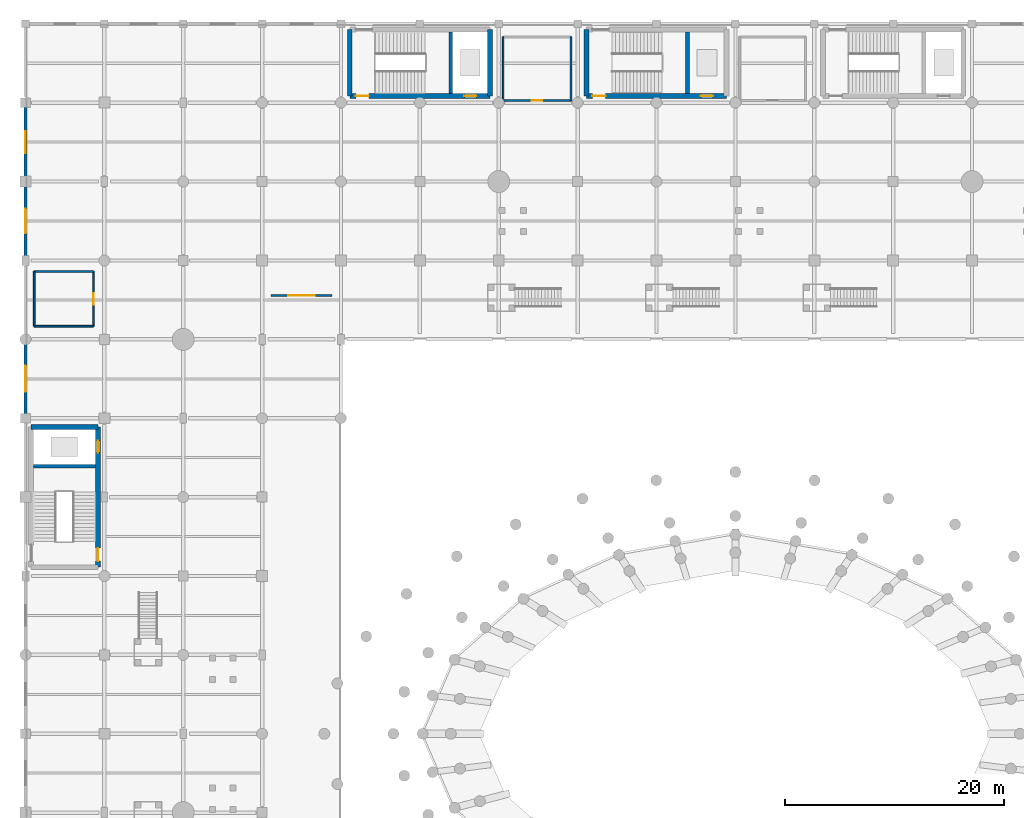
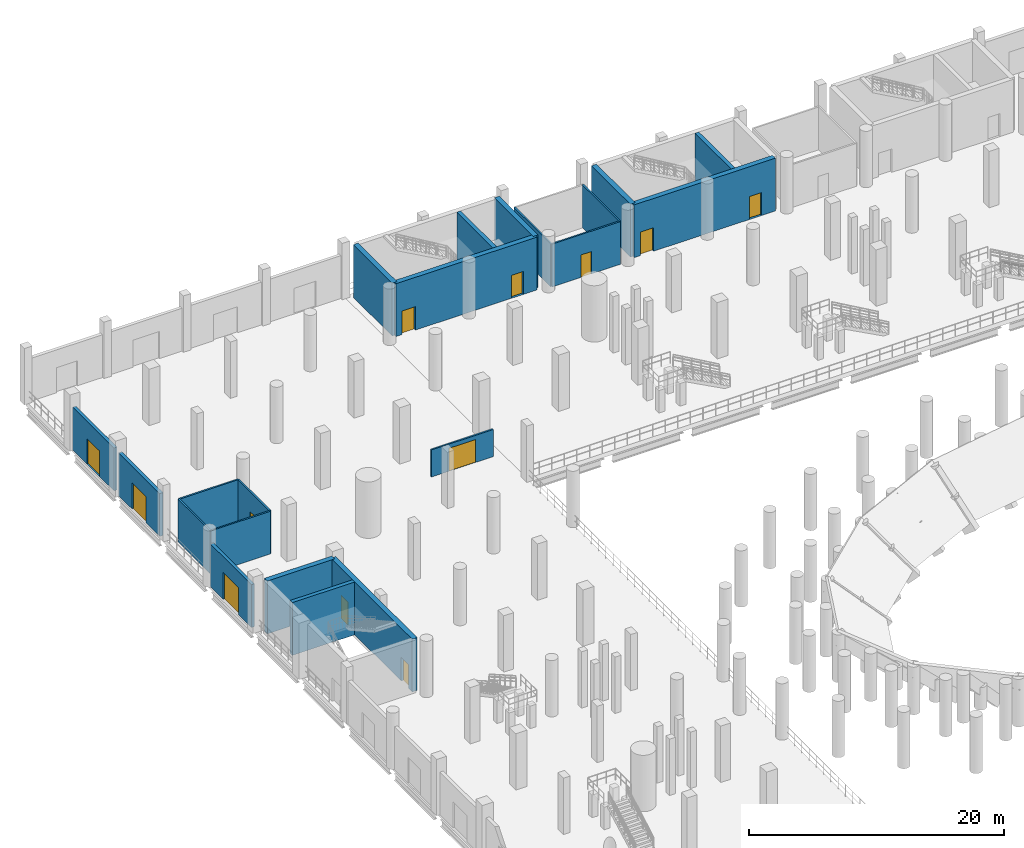
# One storey, part 36 of 58: 21 walls, 12 doors, 12 openings.
"""IFC4 building model written with IfcOpenShell, lengths in metres."""

from ifc_helpers import new_model, si_unit, direction, frame, frame_2d, origin, place, context, subcontext, project, spatial, rectangle, extrude, material, layer, layer_set, type_object, element, fill, save


model = new_model("IFC4")

# Units and contexts
model_context = context("Model", 3, precision=1e-05, world=origin(), true_north=direction((0.0, 1.0)))
body_context = subcontext(model_context, "Body", "Model", "MODEL_VIEW")
ifc_project = project(units=[si_unit("LENGTHUNIT", "METRE"), si_unit("AREAUNIT", "SQUARE_METRE"), si_unit("VOLUMEUNIT", "CUBIC_METRE"), si_unit("PLANEANGLEUNIT", "RADIAN"), si_unit("MASSUNIT", "GRAM", prefix="KILO")], contexts=[model_context])

# Site, building, storey
site_placement = place(None, origin())
site = spatial("IfcSite", under=ifc_project, at=site_placement, CompositionType="ELEMENT")
building_placement = place(site_placement, origin())
building = spatial("IfcBuilding", under=site, at=building_placement, Name="Qandorah Velis Arena", CompositionType="ELEMENT")
storey_placement = place(building_placement, origin())
storey = spatial("IfcBuildingStorey", under=building, at=storey_placement, Name="L00", CompositionType="ELEMENT", Elevation=0.0)

# Wall, opening, door
ifc_material_1 = material(Name="Precast concrete C40/50", Category="concrete")
ifc_layer_1 = layer(ifc_material_1, 0.2900390625)
ifc_layer_set_1 = layer_set([ifc_layer_1], Name="Precast concrete C40/50")
wall_type_1 = type_object("IfcWallType", Name="ARC-WAL-EXT290", PredefinedType="SOLIDWALL", material=ifc_layer_set_1)
wall_1_placement = place(storey_placement, frame((0.0, 93.949951171875, 0.0), z_axis=(0.0, 0.0, 1.0), x_axis=(0.0, 1.0, 0.0)))
wall_1 = element("IfcWall", 1, at=wall_1_placement, inside=storey, type_object=wall_type_1, Name="Perimeter concourse exit wall G09", PredefinedType="SOLIDWALL", context=body_context, shape_type="SweptSolid", body=[
    extrude(rectangle(XDim=6.5, YDim=0.2900390625, at=frame_2d((3.25, 0.0))), origin(), (0.0, 0.0, 1.0), 4.10009765625),
])
opening_1_placement = place(wall_1_placement, frame((2.050048828125, 0.0, 0.0)))
opening_1 = element("IfcOpeningElement", 2, at=opening_1_placement, cuts=wall_1, Name="Opening G9", PredefinedType="OPENING", context=body_context, shape_type="SweptSolid", body=[
    extrude(rectangle(XDim=2.39990234375, YDim=2.60009765625, at=frame_2d((1.199951171875, 1.300048828125))), frame((0.0, 0.155029296875, 0.0), z_axis=(0.0, -1.0, 0.0), x_axis=(1.0, 0.0, 0.0)), (0.0, 0.0, 1.0), 0.31005859375),
])
ifc_material_2 = material(Name="Insulated galvanized steel exit door", Category="steel")
door_type_1 = type_object("IfcDoorType", Name="ARC-DR-EXT2400", OperationType="NOTDEFINED", PredefinedType="DOOR", material=ifc_material_2)
door_1_placement = place(opening_1_placement, origin())
door_1 = element("IfcDoor", 3, at=door_1_placement, inside=storey, type_object=door_type_1, Name="Pedestrian exit door G9", OperationType="SINGLE_SWING_RIGHT", OverallHeight=2.60009765625, OverallWidth=2.39990234375, PredefinedType="DOOR", context=body_context, shape_type="SweptSolid", body=[
    extrude(rectangle(XDim=2.39990234375, YDim=2.60009765625, at=frame_2d((1.199951171875, 1.300048828125))), frame((0.0, 0.02490234375, 0.0), z_axis=(0.0, -1.0, 0.0), x_axis=(1.0, 0.0, 0.0)), (0.0, 0.0, 1.0), 0.050048828125),
])
fill(opening_1, door_1)

wall_2_placement = place(storey_placement, frame((0.0, 115.550048828125, 0.0), z_axis=(0.0, 0.0, 1.0), x_axis=(0.0, 1.0, 0.0)))
wall_2 = element("IfcWall", 4, at=wall_2_placement, inside=storey, type_object=wall_type_1, Name="Perimeter concourse exit wall G11", PredefinedType="SOLIDWALL", context=body_context, shape_type="SweptSolid", body=[
    extrude(rectangle(XDim=6.5, YDim=0.2900390625, at=frame_2d((3.25, 0.0))), origin(), (0.0, 0.0, 1.0), 4.10009765625),
])
opening_2_placement = place(wall_2_placement, frame((2.25, 0.0, 0.0)))
opening_2 = element("IfcOpeningElement", 5, at=opening_2_placement, cuts=wall_2, Name="Opening G11", PredefinedType="OPENING", context=body_context, shape_type="SweptSolid", body=[
    extrude(rectangle(XDim=2.0, YDim=2.449951171875, at=frame_2d((1.0, 1.22509765625))), frame((0.0, 0.155029296875, 0.0), z_axis=(0.0, -1.0, 0.0), x_axis=(1.0, 0.0, 0.0)), (0.0, 0.0, 1.0), 0.31005859375),
])
door_type_2 = type_object("IfcDoorType", Name="ARC-DR-EXT2000", OperationType="NOTDEFINED", PredefinedType="DOOR", material=ifc_material_2)
door_2_placement = place(opening_2_placement, origin())
door_2 = element("IfcDoor", 6, at=door_2_placement, inside=storey, type_object=door_type_2, Name="Pedestrian exit door G11", OperationType="SINGLE_SWING_RIGHT", OverallHeight=2.449951171875, OverallWidth=2.0, PredefinedType="DOOR", context=body_context, shape_type="SweptSolid", body=[
    extrude(rectangle(XDim=2.0, YDim=2.449951171875, at=frame_2d((1.0, 1.22509765625))), frame((0.0, 0.02490234375, 0.0), z_axis=(0.0, -1.0, 0.0), x_axis=(1.0, 0.0, 0.0)), (0.0, 0.0, 1.0), 0.050048828125),
])
fill(opening_2, door_2)

ifc_layer_2 = layer(ifc_material_1, 0.31005859375)
ifc_layer_set_2 = layer_set([ifc_layer_2], Name="Precast concrete C40/50")
wall_type_2 = type_object("IfcWallType", Name="ARC-WAL-EXT310", PredefinedType="SOLIDWALL", material=ifc_layer_set_2)
wall_3_placement = place(storey_placement, frame((0.0, 108.35009765625, 0.0), z_axis=(0.0, 0.0, 1.0), x_axis=(0.0, 1.0, 0.0)))
wall_3 = element("IfcWall", 7, at=wall_3_placement, inside=storey, type_object=wall_type_2, Name="Perimeter concourse exit wall G10", PredefinedType="SOLIDWALL", context=body_context, shape_type="SweptSolid", body=[
    extrude(rectangle(XDim=6.5, YDim=0.31005859375, at=frame_2d((3.25, 0.0))), origin(), (0.0, 0.0, 1.0), 4.10009765625),
])
opening_3_placement = place(wall_3_placement, frame((2.14990234375, 0.0, 0.0)))
opening_3 = element("IfcOpeningElement", 8, at=opening_3_placement, cuts=wall_3, Name="Opening G10", PredefinedType="OPENING", context=body_context, shape_type="SweptSolid", body=[
    extrude(rectangle(XDim=2.199951171875, YDim=2.5, at=frame_2d((1.10009765625, 1.25))), frame((0.0, 0.1650390625, 0.0), z_axis=(0.0, -1.0, 0.0), x_axis=(1.0, 0.0, 0.0)), (0.0, 0.0, 1.0), 0.330078125),
])
door_type_3 = type_object("IfcDoorType", Name="ARC-DR-EXT2200", OperationType="NOTDEFINED", PredefinedType="DOOR", material=ifc_material_2)
door_3_placement = place(opening_3_placement, origin())
door_3 = element("IfcDoor", 9, at=door_3_placement, inside=storey, type_object=door_type_3, Name="Pedestrian exit door G10", OperationType="SINGLE_SWING_LEFT", OverallHeight=2.5, OverallWidth=2.199951171875, PredefinedType="DOOR", context=body_context, shape_type="SweptSolid", body=[
    extrude(rectangle(XDim=2.199951171875, YDim=2.5, at=frame_2d((1.10009765625, 1.25))), frame((0.0, 0.02490234375, 0.0), z_axis=(0.0, -1.0, 0.0), x_axis=(1.0, 0.0, 0.0)), (0.0, 0.0, 1.0), 0.050048828125),
])
fill(opening_3, door_3)

ifc_material_3 = material(Name="Concrete C35/45", Category="concrete")
ifc_layer_3 = layer(ifc_material_3, 0.14990234375)
ifc_layer_set_3 = layer_set([ifc_layer_3], Name="Concrete C35/45")
wall_type_3 = type_object("IfcWallType", Name="ARC-WAL-PART150", PredefinedType="PARTITIONING", material=ifc_layer_set_3)
wall_4_placement = place(storey_placement, frame((43.60009765625, 122.60009765625, 0.0), z_axis=(0.0, 0.0, 1.0), x_axis=(1.0, 0.0, 0.0)))
wall_4 = element("IfcWall", 10, at=wall_4_placement, inside=storey, type_object=wall_type_3, Name="Interior partition L00-L00-MWC2 (S)", PredefinedType="PARTITIONING", context=body_context, shape_type="SweptSolid", body=[
    extrude(rectangle(XDim=6.199951171875, YDim=0.14990234375, at=frame_2d((3.10009765625, 0.0))), origin(), (0.0, 0.0, 1.0), 4.10009765625),
])
opening_4_placement = place(wall_4_placement, frame((2.625, 0.0, 0.0)))
opening_4 = element("IfcOpeningElement", 11, at=opening_4_placement, cuts=wall_4, Name="Opening D4", PredefinedType="OPENING", context=body_context, shape_type="SweptSolid", body=[
    extrude(rectangle(XDim=0.949951171875, YDim=2.14990234375, at=frame_2d((0.47509765625, 1.074951171875))), frame((0.0, 0.0849609375, 0.0), z_axis=(0.0, -1.0, 0.0), x_axis=(1.0, 0.0, 0.0)), (0.0, 0.0, 1.0), 0.169921875),
])
ifc_material_4 = material(Name="Moisture-resistant laminate door")
door_type_4 = type_object("IfcDoorType", Name="ARC-DR-WC950", OperationType="NOTDEFINED", PredefinedType="DOOR", material=ifc_material_4)
door_4_placement = place(opening_4_placement, origin())
door_4 = element("IfcDoor", 12, at=door_4_placement, inside=storey, type_object=door_type_4, Name="Door L00-L00-MWC2", OperationType="SINGLE_SWING_LEFT", OverallHeight=2.14990234375, OverallWidth=0.949951171875, PredefinedType="DOOR", context=body_context, shape_type="SweptSolid", body=[
    extrude(rectangle(XDim=0.949951171875, YDim=2.14990234375, at=frame_2d((0.47509765625, 1.074951171875))), frame((0.0, 0.02490234375, 0.0), z_axis=(0.0, -1.0, 0.0), x_axis=(1.0, 0.0, 0.0)), (0.0, 0.0, 1.0), 0.050048828125),
])
fill(opening_4, door_4)

# Walls
for number, where, z_axis, x_axis, name in (
    (13, (49.800048828125, 122.60009765625, 0.0), (0.0, 0.0, 1.0), (0.0, 1.0, 0.0), "Interior partition L00-L00-MWC2 (E)"),
    (14, (43.60009765625, 128.39990234375, 0.0), (0.0, 0.0, 1.0), (0.0, -1.0, 0.0), "Interior partition L00-L00-MWC2 (W)"),
):
    element("IfcWall", number, at=place(storey_placement, frame(where, z_axis=z_axis, x_axis=x_axis)), inside=storey, type_object=wall_type_3, Name=name, PredefinedType="PARTITIONING", context=body_context, shape_type="SweptSolid", body=[
        extrude(rectangle(XDim=5.7998046875, YDim=0.14990234375, at=frame_2d((2.89990234375, 0.0))), origin(), (0.0, 0.0, 1.0), 4.10009765625),
    ])
wall_5_placement = place(storey_placement, frame((0.800048828125, 102.0, 0.0), z_axis=(0.0, 0.0, 1.0), x_axis=(1.0, 0.0, 0.0)))
element("IfcWall", 15, at=wall_5_placement, inside=storey, type_object=wall_type_3, Name="Interior partition L00-L00-AWC2 (S)", PredefinedType="PARTITIONING", context=body_context, shape_type="SweptSolid", body=[
    extrude(rectangle(XDim=5.39990234375, YDim=0.14990234375, at=frame_2d((2.699951171875, 0.0))), origin(), (0.0, 0.0, 1.0), 4.10009765625),
])

# Wall, opening, door
wall_6_placement = place(storey_placement, frame((6.199951171875, 102.0, 0.0), z_axis=(0.0, 0.0, 1.0), x_axis=(0.0, 1.0, 0.0)))
wall_6 = element("IfcWall", 16, at=wall_6_placement, inside=storey, type_object=wall_type_3, Name="Interior partition L00-L00-AWC2 (E)", PredefinedType="PARTITIONING", context=body_context, shape_type="SweptSolid", body=[
    extrude(rectangle(XDim=5.0, YDim=0.14990234375, at=frame_2d((2.5, 0.0))), origin(), (0.0, 0.0, 1.0), 4.10009765625),
])
opening_5_placement = place(wall_6_placement, frame((1.97509765625, 0.0, 0.0)))
opening_5 = element("IfcOpeningElement", 17, at=opening_5_placement, cuts=wall_6, Name="Opening D6", PredefinedType="OPENING", context=body_context, shape_type="SweptSolid", body=[
    extrude(rectangle(XDim=1.050048828125, YDim=2.199951171875, at=frame_2d((0.52490234375, 1.10009765625))), frame((0.0, 0.0849609375, 0.0), z_axis=(0.0, -1.0, 0.0), x_axis=(1.0, 0.0, 0.0)), (0.0, 0.0, 1.0), 0.169921875),
])
ifc_material_5 = material(Name="Accessible wide-leaf lever-handle door")
door_type_5 = type_object("IfcDoorType", Name="ARC-DR-ACC1050", OperationType="NOTDEFINED", PredefinedType="DOOR", material=ifc_material_5)
door_5_placement = place(opening_5_placement, origin())
door_5 = element("IfcDoor", 18, at=door_5_placement, inside=storey, type_object=door_type_5, Name="Door L00-L00-AWC2", OperationType="SINGLE_SWING_LEFT", OverallHeight=2.199951171875, OverallWidth=1.050048828125, PredefinedType="DOOR", context=body_context, shape_type="SweptSolid", body=[
    extrude(rectangle(XDim=1.050048828125, YDim=2.199951171875, at=frame_2d((0.52490234375, 1.10009765625))), frame((0.0, 0.02490234375, 0.0), z_axis=(0.0, -1.0, 0.0), x_axis=(1.0, 0.0, 0.0)), (0.0, 0.0, 1.0), 0.050048828125),
])
fill(opening_5, door_5)

# Walls
wall_7_placement = place(storey_placement, frame((6.199951171875, 107.0, 0.0), z_axis=(0.0, 0.0, 1.0), x_axis=(-1.0, 0.0, 0.0)))
element("IfcWall", 19, at=wall_7_placement, inside=storey, type_object=wall_type_3, Name="Interior partition L00-L00-AWC2 (N)", PredefinedType="PARTITIONING", context=body_context, shape_type="SweptSolid", body=[
    extrude(rectangle(XDim=5.39990234375, YDim=0.14990234375, at=frame_2d((2.699951171875, 0.0))), origin(), (0.0, 0.0, 1.0), 4.10009765625),
])
wall_8_placement = place(storey_placement, frame((0.800048828125, 107.0, 0.0), z_axis=(0.0, 0.0, 1.0), x_axis=(0.0, -1.0, 0.0)))
element("IfcWall", 20, at=wall_8_placement, inside=storey, type_object=wall_type_3, Name="Interior partition L00-L00-AWC2 (W)", PredefinedType="PARTITIONING", context=body_context, shape_type="SweptSolid", body=[
    extrude(rectangle(XDim=5.0, YDim=0.14990234375, at=frame_2d((2.5, 0.0))), origin(), (0.0, 0.0, 1.0), 4.10009765625),
])

# Wall, opening, door
wall_9_placement = place(storey_placement, frame((22.39990234375, 104.800048828125, 0.0), z_axis=(0.0, 0.0, 1.0), x_axis=(1.0, 0.0, 0.0)))
wall_9 = element("IfcWall", 21, at=wall_9_placement, inside=storey, type_object=wall_type_3, Name="Concourse control screen wall 03", PredefinedType="PARTITIONING", context=body_context, shape_type="SweptSolid", body=[
    extrude(rectangle(XDim=5.60009765625, YDim=0.14990234375, at=frame_2d((2.800048828125, 0.0))), origin(), (0.0, 0.0, 1.0), 2.60009765625),
])
opening_6_placement = place(wall_9_placement, frame((1.60009765625, 0.0, 0.0)))
opening_6 = element("IfcOpeningElement", 22, at=opening_6_placement, cuts=wall_9, Name="Opening GT1", PredefinedType="OPENING", context=body_context, shape_type="SweptSolid", body=[
    extrude(rectangle(XDim=2.39990234375, YDim=2.199951171875, at=frame_2d((1.199951171875, 1.10009765625))), frame((0.0, 0.0849609375, 0.0), z_axis=(0.0, -1.0, 0.0), x_axis=(1.0, 0.0, 0.0)), (0.0, 0.0, 1.0), 0.169921875),
])
ifc_material_6 = material(Name="Galvanized steel concourse vomitory gate", Category="steel")
door_type_6 = type_object("IfcDoorType", Name="ARC-DR-GAT2400", OperationType="NOTDEFINED", PredefinedType="GATE", material=ifc_material_6)
door_6_placement = place(opening_6_placement, frame((2.39990234375, 0.0, 0.0), z_axis=(0.0, 0.0, 1.0), x_axis=(-1.0, 0.0, 0.0)))
door_6 = element("IfcDoor", 23, at=door_6_placement, inside=storey, type_object=door_type_6, Name="Concourse vomitory gate GT3", OperationType="DOUBLE_DOOR_SINGLE_SWING", OverallHeight=2.199951171875, OverallWidth=2.39990234375, PredefinedType="GATE", context=body_context, shape_type="SweptSolid", body=[
    extrude(rectangle(XDim=2.39990234375, YDim=2.199951171875, at=frame_2d((1.199951171875, 1.10009765625))), frame((0.0, 0.02490234375, 0.0), z_axis=(0.0, -1.0, 0.0), x_axis=(1.0, 0.0, 0.0)), (0.0, 0.0, 1.0), 0.050048828125),
])
fill(opening_6, door_6)

# Wall, openings, doors
ifc_material_7 = material(Name="Concrete C40/50", Category="concrete")
ifc_layer_4 = layer(ifc_material_7, 0.449951171875)
ifc_layer_set_4 = layer_set([ifc_layer_4], Name="Concrete C40/50")
wall_type_4 = type_object("IfcWallType", Name="STR-WAL-CORE450", PredefinedType="SHEAR", material=ifc_layer_set_4)
wall_10_placement = place(storey_placement, frame((29.60009765625, 123.0, 0.0), z_axis=(0.0, 0.0, 1.0), x_axis=(1.0, 0.0, 0.0)))
wall_10 = element("IfcWall", 24, at=wall_10_placement, inside=storey, type_object=wall_type_4, Name="Core CORE-03 shear wall S (L00)", PredefinedType="SHEAR", context=body_context, shape_type="SweptSolid", body=[
    extrude(rectangle(XDim=12.7998046875, YDim=0.449951171875, at=frame_2d((6.39990234375, 0.0))), origin(), (0.0, 0.0, 1.0), 5.06005859375),
])
opening_7_placement = place(wall_10_placement, frame((0.550048828125, 0.0, 0.0)))
opening_7 = element("IfcOpeningElement", 25, at=opening_7_placement, cuts=wall_10, Name="Opening SD1", PredefinedType="OPENING", context=body_context, shape_type="SweptSolid", body=[
    extrude(rectangle(XDim=1.199951171875, YDim=2.25, at=frame_2d((0.60009765625, 1.125))), frame((0.0, 0.23486328125, 0.0), z_axis=(0.0, -1.0, 0.0), x_axis=(1.0, 0.0, 0.0)), (0.0, 0.0, 1.0), 0.469970703125),
])
opening_8_placement = place(wall_10_placement, frame((10.4580078125, 0.0, 0.0)))
opening_8 = element("IfcOpeningElement", 26, at=opening_8_placement, cuts=wall_10, Name="Opening LD1", PredefinedType="OPENING", context=body_context, shape_type="SweptSolid", body=[
    extrude(rectangle(XDim=1.10009765625, YDim=2.199951171875, at=frame_2d((0.550048828125, 1.10009765625))), frame((0.0, 0.23486328125, 0.0), z_axis=(0.0, -1.0, 0.0), x_axis=(1.0, 0.0, 0.0)), (0.0, 0.0, 1.0), 0.469970703125),
])
ifc_material_8 = material(Name="Stainless steel sliding lift landing door", Category="steel")
door_type_7 = type_object("IfcDoorType", Name="ARC-DR-LD1100", OperationType="NOTDEFINED", PredefinedType="DOOR", material=ifc_material_8)
door_7_placement = place(opening_8_placement, origin())
door_7 = element("IfcDoor", 27, at=door_7_placement, inside=storey, type_object=door_type_7, Name="Lift PL1 sliding landing door (L00)", OperationType="SLIDING_TO_RIGHT", OverallHeight=2.199951171875, OverallWidth=1.10009765625, PredefinedType="DOOR", context=body_context, shape_type="SweptSolid", body=[
    extrude(rectangle(XDim=1.10009765625, YDim=2.199951171875, at=frame_2d((0.550048828125, 1.10009765625))), frame((0.0, 0.02490234375, 0.0), z_axis=(0.0, -1.0, 0.0), x_axis=(1.0, 0.0, 0.0)), (0.0, 0.0, 1.0), 0.050048828125),
])
fill(opening_8, door_7)
ifc_material_9 = material(Name="Self-closing fire-rated stair steel door", Category="steel")
door_type_8 = type_object("IfcDoorType", Name="ARC-DR-ST1200", OperationType="NOTDEFINED", PredefinedType="DOOR", material=ifc_material_9)
door_8_placement = place(opening_7_placement, frame((1.199951171875, 0.0, 0.0), z_axis=(0.0, 0.0, 1.0), x_axis=(-1.0, 0.0, 0.0)))
door_8 = element("IfcDoor", 28, at=door_8_placement, inside=storey, type_object=door_type_8, Name="Stair ST3 fire door (L00)", OperationType="SINGLE_SWING_LEFT", OverallHeight=2.25, OverallWidth=1.199951171875, PredefinedType="DOOR", context=body_context, shape_type="SweptSolid", body=[
    extrude(rectangle(XDim=1.199951171875, YDim=2.25, at=frame_2d((0.60009765625, 1.125))), frame((0.0, 0.02490234375, 0.0), z_axis=(0.0, -1.0, 0.0), x_axis=(1.0, 0.0, 0.0)), (0.0, 0.0, 1.0), 0.050048828125),
])
fill(opening_7, door_8)

# Walls
for number, where, z_axis, x_axis, name in (
    (29, (29.60009765625, 123.0, 0.0), (0.0, 0.0, 1.0), (0.0, 1.0, 0.0), "Core CORE-03 shear wall W (L00)"),
    (30, (42.39990234375, 123.0, 0.0), (0.0, 0.0, 1.0), (0.0, 1.0, 0.0), "Core CORE-03 shear wall E (L00)"),
    (31, (0.5, 92.800048828125, 0.0), (0.0, 0.0, 1.0), (1.0, 0.0, 0.0), "Core CORE-06 shear wall N (L00)"),
):
    element("IfcWall", number, at=place(storey_placement, frame(where, z_axis=z_axis, x_axis=x_axis)), inside=storey, type_object=wall_type_4, Name=name, PredefinedType="SHEAR", context=body_context, shape_type="SweptSolid", body=[
        extrude(rectangle(XDim=6.10009765625, YDim=0.449951171875, at=frame_2d((3.050048828125, 0.0))), origin(), (0.0, 0.0, 1.0), 5.06005859375),
    ])

# Wall, openings, doors
wall_11_placement = place(storey_placement, frame((6.60009765625, 80.0, 0.0), z_axis=(0.0, 0.0, 1.0), x_axis=(0.0, 1.0, 0.0)))
wall_11 = element("IfcWall", 32, at=wall_11_placement, inside=storey, type_object=wall_type_4, Name="Core CORE-06 shear wall E (L00)", PredefinedType="SHEAR", context=body_context, shape_type="SweptSolid", body=[
    extrude(rectangle(XDim=12.800048828125, YDim=0.449951171875, at=frame_2d((6.39990234375, 0.0))), origin(), (0.0, 0.0, 1.0), 5.06005859375),
])
opening_9_placement = place(wall_11_placement, frame((0.550048828125, 0.0, 0.0)))
opening_9 = element("IfcOpeningElement", 33, at=opening_9_placement, cuts=wall_11, Name="Opening SD1", PredefinedType="OPENING", context=body_context, shape_type="SweptSolid", body=[
    extrude(rectangle(XDim=1.199951171875, YDim=2.25, at=frame_2d((0.60009765625, 1.125))), frame((0.0, 0.23486328125, 0.0), z_axis=(0.0, -1.0, 0.0), x_axis=(1.0, 0.0, 0.0)), (0.0, 0.0, 1.0), 0.469970703125),
])
opening_10_placement = place(wall_11_placement, frame((10.4580078125, 0.0, 0.0)))
opening_10 = element("IfcOpeningElement", 34, at=opening_10_placement, cuts=wall_11, Name="Opening LD1", PredefinedType="OPENING", context=body_context, shape_type="SweptSolid", body=[
    extrude(rectangle(XDim=1.10009765625, YDim=2.199951171875, at=frame_2d((0.550048828125, 1.10009765625))), frame((0.0, 0.23486328125, 0.0), z_axis=(0.0, -1.0, 0.0), x_axis=(1.0, 0.0, 0.0)), (0.0, 0.0, 1.0), 0.469970703125),
])
door_9_placement = place(opening_10_placement, origin())
door_9 = element("IfcDoor", 35, at=door_9_placement, inside=storey, type_object=door_type_7, Name="Lift PL4 sliding landing door (L00)", OperationType="SLIDING_TO_RIGHT", OverallHeight=2.199951171875, OverallWidth=1.10009765625, PredefinedType="DOOR", context=body_context, shape_type="SweptSolid", body=[
    extrude(rectangle(XDim=1.10009765625, YDim=2.199951171875, at=frame_2d((0.550048828125, 1.10009765625))), frame((0.0, 0.02490234375, 0.0), z_axis=(0.0, -1.0, 0.0), x_axis=(1.0, 0.0, 0.0)), (0.0, 0.0, 1.0), 0.050048828125),
])
fill(opening_10, door_9)
door_10_placement = place(opening_9_placement, frame((1.199951171875, 0.0, 0.0), z_axis=(0.0, 0.0, 1.0), x_axis=(-1.0, 0.0, 0.0)))
door_10 = element("IfcDoor", 36, at=door_10_placement, inside=storey, type_object=door_type_8, Name="Stair ST6 fire door (L00)", OperationType="SINGLE_SWING_LEFT", OverallHeight=2.25, OverallWidth=1.199951171875, PredefinedType="DOOR", context=body_context, shape_type="SweptSolid", body=[
    extrude(rectangle(XDim=1.199951171875, YDim=2.25, at=frame_2d((0.60009765625, 1.125))), frame((0.0, 0.02490234375, 0.0), z_axis=(0.0, -1.0, 0.0), x_axis=(1.0, 0.0, 0.0)), (0.0, 0.0, 1.0), 0.050048828125),
])
fill(opening_9, door_10)

wall_12_placement = place(storey_placement, frame((51.199951171875, 123.0, 0.0), z_axis=(0.0, 0.0, 1.0), x_axis=(1.0, 0.0, 0.0)))
wall_12 = element("IfcWall", 37, at=wall_12_placement, inside=storey, type_object=wall_type_4, Name="Core CORE-10 shear wall S (L00)", PredefinedType="SHEAR", context=body_context, shape_type="SweptSolid", body=[
    extrude(rectangle(XDim=12.800048828125, YDim=0.449951171875, at=frame_2d((6.39990234375, 0.0))), origin(), (0.0, 0.0, 1.0), 5.06005859375),
])
opening_11_placement = place(wall_12_placement, frame((0.550048828125, 0.0, 0.0)))
opening_11 = element("IfcOpeningElement", 38, at=opening_11_placement, cuts=wall_12, Name="Opening SD1", PredefinedType="OPENING", context=body_context, shape_type="SweptSolid", body=[
    extrude(rectangle(XDim=1.199951171875, YDim=2.25, at=frame_2d((0.60009765625, 1.125))), frame((0.0, 0.23486328125, 0.0), z_axis=(0.0, -1.0, 0.0), x_axis=(1.0, 0.0, 0.0)), (0.0, 0.0, 1.0), 0.469970703125),
])
opening_12_placement = place(wall_12_placement, frame((10.4580078125, 0.0, 0.0)))
opening_12 = element("IfcOpeningElement", 39, at=opening_12_placement, cuts=wall_12, Name="Opening LD1", PredefinedType="OPENING", context=body_context, shape_type="SweptSolid", body=[
    extrude(rectangle(XDim=1.10009765625, YDim=2.199951171875, at=frame_2d((0.550048828125, 1.10009765625))), frame((0.0, 0.23486328125, 0.0), z_axis=(0.0, -1.0, 0.0), x_axis=(1.0, 0.0, 0.0)), (0.0, 0.0, 1.0), 0.469970703125),
])
door_11_placement = place(opening_12_placement, origin())
door_11 = element("IfcDoor", 40, at=door_11_placement, inside=storey, type_object=door_type_7, Name="Lift PL7 sliding landing door (L00)", OperationType="SLIDING_TO_LEFT", OverallHeight=2.199951171875, OverallWidth=1.10009765625, PredefinedType="DOOR", context=body_context, shape_type="SweptSolid", body=[
    extrude(rectangle(XDim=1.10009765625, YDim=2.199951171875, at=frame_2d((0.550048828125, 1.10009765625))), frame((0.0, 0.02490234375, 0.0), z_axis=(0.0, -1.0, 0.0), x_axis=(1.0, 0.0, 0.0)), (0.0, 0.0, 1.0), 0.050048828125),
])
fill(opening_12, door_11)
door_12_placement = place(opening_11_placement, frame((1.199951171875, 0.0, 0.0), z_axis=(0.0, 0.0, 1.0), x_axis=(-1.0, 0.0, 0.0)))
door_12 = element("IfcDoor", 41, at=door_12_placement, inside=storey, type_object=door_type_8, Name="Stair ST10 fire door (L00)", OperationType="SINGLE_SWING_RIGHT", OverallHeight=2.25, OverallWidth=1.199951171875, PredefinedType="DOOR", context=body_context, shape_type="SweptSolid", body=[
    extrude(rectangle(XDim=1.199951171875, YDim=2.25, at=frame_2d((0.60009765625, 1.125))), frame((0.0, 0.02490234375, 0.0), z_axis=(0.0, -1.0, 0.0), x_axis=(1.0, 0.0, 0.0)), (0.0, 0.0, 1.0), 0.050048828125),
])
fill(opening_11, door_12)

# Walls
wall_13_placement = place(storey_placement, frame((51.199951171875, 123.0, 0.0), z_axis=(0.0, 0.0, 1.0), x_axis=(0.0, 1.0, 0.0)))
element("IfcWall", 42, at=wall_13_placement, inside=storey, type_object=wall_type_4, Name="Core CORE-10 shear wall W (L00)", PredefinedType="SHEAR", context=body_context, shape_type="SweptSolid", body=[
    extrude(rectangle(XDim=6.10009765625, YDim=0.449951171875, at=frame_2d((3.050048828125, 0.0))), origin(), (0.0, 0.0, 1.0), 5.06005859375),
])
ifc_layer_5 = layer(ifc_material_7, 0.35009765625)
ifc_layer_set_5 = layer_set([ifc_layer_5], Name="Concrete C40/50")
wall_type_5 = type_object("IfcWallType", Name="STR-WAL-SH350", PredefinedType="SHEAR", material=ifc_layer_set_5)
for number, where, z_axis, x_axis, name in (
    (43, (38.81591796875, 123.22509765625, 0.0), (0.0, 0.0, 1.0), (0.0, 1.0, 0.0), "Core CORE-03 shaft divider shear wall (L00)"),
    (44, (0.72509765625, 89.216064453125, 0.0), (0.0, 0.0, 1.0), (1.0, 0.0, 0.0), "Core CORE-06 shaft divider shear wall (L00)"),
    (45, (60.416015625, 123.22509765625, 0.0), (0.0, 0.0, 1.0), (0.0, 1.0, 0.0), "Core CORE-10 shaft divider shear wall (L00)"),
):
    element("IfcWall", number, at=place(storey_placement, frame(where, z_axis=z_axis, x_axis=x_axis)), inside=storey, type_object=wall_type_5, Name=name, PredefinedType="SHEAR", context=body_context, shape_type="SweptSolid", body=[
        extrude(rectangle(XDim=5.64990234375, YDim=0.35009765625, at=frame_2d((2.824951171875, 0.0))), origin(), (0.0, 0.0, 1.0), 5.06005859375),
    ])

save(model, "model.ifc")
